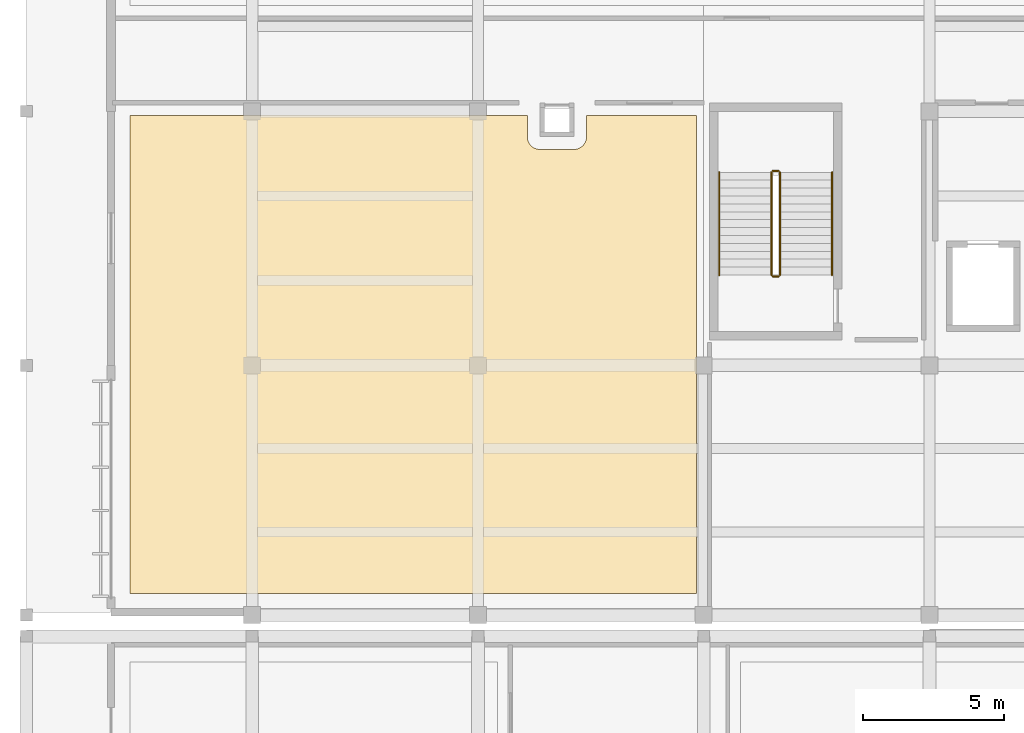
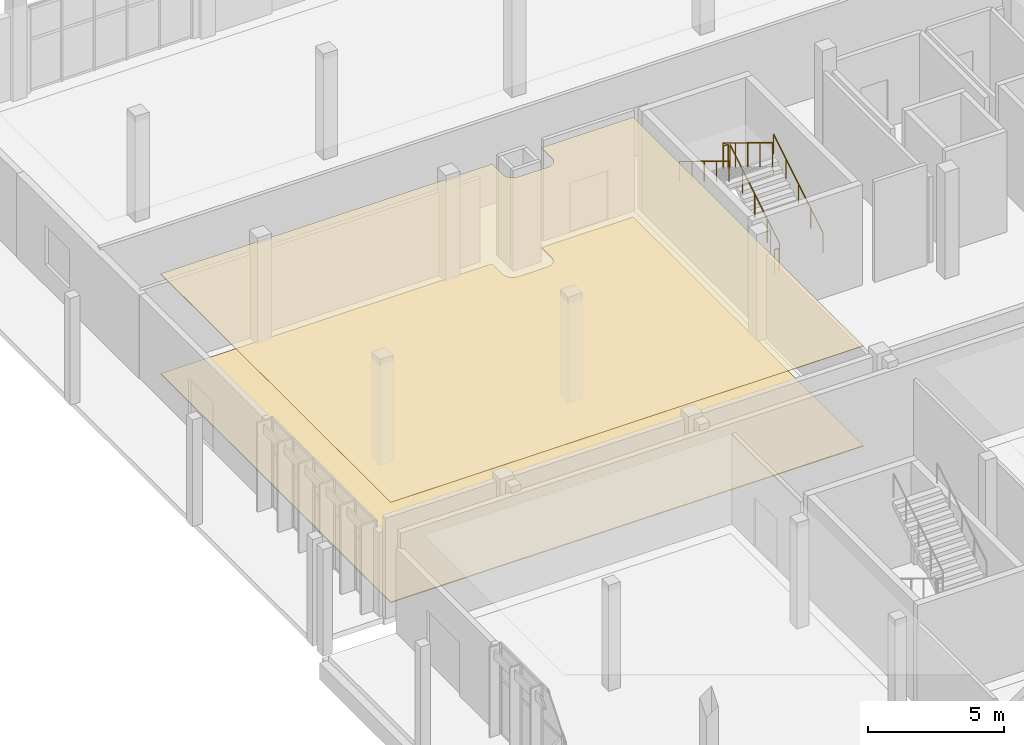
# One storey, part 141 of 151: 6 railings, 2 coverings.
"""IFC4 building model written with IfcOpenShell, lengths in metres."""

from ifc_helpers import new_model, si_unit, direction, frame, origin, origin_2d, place, context, subcontext, project, spatial, polyline, circle, outline, extrude, material, layer, layer_set, type_object, element, save


model = new_model("IFC4")

# Units and contexts
model_context = context("Model", 3, precision=1e-05, world=origin(), true_north=direction((0.0, 1.0)))
body_context = subcontext(model_context, "Body", "Model", "MODEL_VIEW")
ifc_project = project(units=[si_unit("LENGTHUNIT", "METRE"), si_unit("AREAUNIT", "SQUARE_METRE"), si_unit("VOLUMEUNIT", "CUBIC_METRE"), si_unit("PLANEANGLEUNIT", "RADIAN"), si_unit("MASSUNIT", "GRAM", prefix="KILO")], contexts=[model_context])

# Site, building, storey
site_placement = place(None, origin())
site = spatial("IfcSite", under=ifc_project, at=site_placement, CompositionType="ELEMENT")
building_placement = place(site_placement, origin())
building = spatial("IfcBuilding", under=site, at=building_placement, Name="Chiffa Square Polytechnic", CompositionType="ELEMENT")
storey_placement = place(building_placement, origin())
storey = spatial("IfcBuildingStorey", under=building, at=storey_placement, Name="L00", CompositionType="ELEMENT", Elevation=0.0)

# Coverings
ifc_material_1 = material(Name="Perforated gypsum acoustic board")
ifc_layer_1 = layer(ifc_material_1, 0.02490234375, Name="Perforated gypsum acoustic board")
ifc_layer_set_1 = layer_set([ifc_layer_1], Name="Perforated gypsum acoustic board")
covering_type_1 = type_object("IfcCoveringType", Name="COV-CEIL-GYP", PredefinedType="CEILING", material=ifc_layer_set_1)
covering_1_placement = place(storey_placement, frame((0.0, 0.0, 4.4970703125)))
element("IfcCovering", 1, at=covering_1_placement, inside=storey, type_object=covering_type_1, Name="Suspended acoustic ceiling CL-V5-L00-013", PredefinedType="CEILING", context=body_context, shape_type="SweptSolid", body=[
    extrude(outline(polyline([(17.75, 112.64990234375), (17.75, 111.89990234375), (17.751953125, 111.85595703125), (17.759033203125, 111.81201171875), (17.76904296875, 111.76904296875), (17.783935546875, 111.72802734375), (17.802978515625, 111.68798828125), (17.825927734375, 111.64990234375), (17.85205078125, 111.614990234375), (17.882080078125, 111.58203125), (17.9150390625, 111.552001953125), (17.949951171875, 111.52587890625), (17.988037109375, 111.5029296875), (18.028076171875, 111.48388671875), (18.069091796875, 111.468994140625), (18.112060546875, 111.458984375), (18.156005859375, 111.451904296875), (18.199951171875, 111.449951171875), (19.39990234375, 111.449951171875), (19.444091796875, 111.451904296875), (19.488037109375, 111.458984375), (19.531005859375, 111.468994140625), (19.572021484375, 111.48388671875), (19.612060546875, 111.5029296875), (19.64990234375, 111.52587890625), (19.68505859375, 111.552001953125), (19.718017578125, 111.58203125), (19.748046875, 111.614990234375), (19.77392578125, 111.64990234375), (19.797119140625, 111.68798828125), (19.81591796875, 111.72802734375), (19.8310546875, 111.76904296875), (19.841064453125, 111.81201171875), (19.847900390625, 111.85595703125), (19.85009765625, 111.89990234375), (19.85009765625, 112.64990234375), (23.75, 112.64990234375), (23.75, 95.719970703125), (3.669921875, 95.719970703125), (3.669921875, 112.64990234375), (17.75, 112.64990234375)])), origin(), (0.0, 0.0, 1.0), 0.02490234375),
])
ifc_material_2 = material(Name="Polished cementitious terrazzo")
ifc_layer_2 = layer(ifc_material_2, 0.0400390625, Name="Polished cementitious terrazzo")
ifc_layer_set_2 = layer_set([ifc_layer_2], Name="Polished cementitious terrazzo")
covering_type_2 = type_object("IfcCoveringType", Name="COV-FLR-TERRAZZO", PredefinedType="FLOORING", material=ifc_layer_set_2)
covering_2_placement = place(storey_placement, origin())
element("IfcCovering", 2, at=covering_2_placement, inside=storey, type_object=covering_type_2, Name="Polished terrazzo floor finish FL-V5-L00-012", PredefinedType="FLOORING", context=body_context, shape_type="SweptSolid", body=[
    extrude(outline(polyline([(17.75, 112.64990234375), (17.75, 111.89990234375), (17.751953125, 111.85595703125), (17.759033203125, 111.81201171875), (17.76904296875, 111.76904296875), (17.783935546875, 111.72802734375), (17.802978515625, 111.68798828125), (17.825927734375, 111.64990234375), (17.85205078125, 111.614990234375), (17.882080078125, 111.58203125), (17.9150390625, 111.552001953125), (17.949951171875, 111.52587890625), (17.988037109375, 111.5029296875), (18.028076171875, 111.48388671875), (18.069091796875, 111.468994140625), (18.112060546875, 111.458984375), (18.156005859375, 111.451904296875), (18.199951171875, 111.449951171875), (19.39990234375, 111.449951171875), (19.444091796875, 111.451904296875), (19.488037109375, 111.458984375), (19.531005859375, 111.468994140625), (19.572021484375, 111.48388671875), (19.612060546875, 111.5029296875), (19.64990234375, 111.52587890625), (19.68505859375, 111.552001953125), (19.718017578125, 111.58203125), (19.748046875, 111.614990234375), (19.77392578125, 111.64990234375), (19.797119140625, 111.68798828125), (19.81591796875, 111.72802734375), (19.8310546875, 111.76904296875), (19.841064453125, 111.81201171875), (19.847900390625, 111.85595703125), (19.85009765625, 111.89990234375), (19.85009765625, 112.64990234375), (23.75, 112.64990234375), (23.75, 95.719970703125), (3.669921875, 95.719970703125), (3.669921875, 112.64990234375), (17.75, 112.64990234375)])), origin(), (0.0, 0.0, 1.0), 0.0400390625),
])

# Railings
ifc_material_3 = material(Name="Steel S355", Category="steel")
ifc_layer_3 = layer(ifc_material_3, 0.050048828125, Name="Steel S355")
ifc_layer_set_3 = layer_set([ifc_layer_3], Name="Steel S355")
railing_type_1 = type_object("IfcRailingType", Name="RL-STAIR-GUARD", PredefinedType="GUARDRAIL", material=ifc_layer_set_3)
railing_1_placement = place(storey_placement, frame((26.699951171875, 107.0, 0.17138671875)))
element("IfcRailing", 3, at=railing_1_placement, inside=storey, type_object=railing_type_1, Name="L00 ST-V5A stair guard 1", PredefinedType="GUARDRAIL", context=body_context, shape_type="SweptSolid", body=[
    extrude(circle(Radius=0.02392578125, at=origin_2d()), frame((0.0, 0.0, 1.076171875), z_axis=(0.0, 0.852850264322, 0.5221555579), x_axis=(-1.0, 0.0, 0.0)), (0.0, 0.0, 1.0), 4.267822265625),
    extrude(circle(Radius=0.02099609375, at=origin_2d()), origin(), (0.0, 0.0, 1.0), 1.052001953125),
    extrude(circle(Radius=0.02099609375, at=origin_2d()), frame((0.0, 0.909912109375, 0.55712890625)), (0.0, 0.0, 1.0), 1.052001953125),
    extrude(circle(Radius=0.02099609375, at=origin_2d()), frame((0.0, 1.81982421875, 1.1142578125)), (0.0, 0.0, 1.0), 1.052001953125),
    extrude(circle(Radius=0.02099609375, at=origin_2d()), frame((0.0, 2.72998046875, 1.67138671875)), (0.0, 0.0, 1.0), 1.052001953125),
    extrude(circle(Radius=0.02099609375, at=origin_2d()), frame((0.0, 3.639892578125, 2.228515625)), (0.0, 0.0, 1.0), 1.052001953125),
])
railing_2_placement = place(storey_placement, frame((26.64990234375, 110.68994140625, 2.39990234375)))
element("IfcRailing", 4, at=railing_2_placement, inside=storey, type_object=railing_type_1, Name="L00 ST-V5A stair guard 2", PredefinedType="GUARDRAIL", context=body_context, shape_type="SweptSolid", body=[
    extrude(circle(Radius=0.02392578125, at=origin_2d()), frame((0.0, 0.0, 1.076171875), z_axis=(-1.0, 0.0, 0.0), x_axis=(0.0, -1.0, 0.0)), (0.0, 0.0, 1.0), 0.199951171875),
    extrude(circle(Radius=0.02099609375, at=origin_2d()), origin(), (0.0, 0.0, 1.0), 1.052001953125),
    extrude(circle(Radius=0.02099609375, at=origin_2d()), frame((-0.199951171875, 0.0, 0.0)), (0.0, 0.0, 1.0), 1.052001953125),
])
railing_3_placement = place(storey_placement, frame((26.39990234375, 110.639892578125, 2.571533203125)))
element("IfcRailing", 5, at=railing_3_placement, inside=storey, type_object=railing_type_1, Name="L00 ST-V5A stair guard 3", PredefinedType="GUARDRAIL", context=body_context, shape_type="SweptSolid", body=[
    extrude(circle(Radius=0.02392578125, at=origin_2d()), frame((0.0, 0.0, 1.076171875), z_axis=(0.0, -0.852850264322, 0.5221555579), x_axis=(1.0, 0.0, 0.0)), (0.0, 0.0, 1.0), 4.267822265625),
    extrude(circle(Radius=0.02099609375, at=origin_2d()), origin(), (0.0, 0.0, 1.0), 1.052001953125),
    extrude(circle(Radius=0.02099609375, at=origin_2d()), frame((0.0, -0.909912109375, 0.55712890625)), (0.0, 0.0, 1.0), 1.052001953125),
    extrude(circle(Radius=0.02099609375, at=origin_2d()), frame((0.0, -1.81982421875, 1.1142578125)), (0.0, 0.0, 1.0), 1.052001953125),
    extrude(circle(Radius=0.02099609375, at=origin_2d()), frame((0.0, -2.72998046875, 1.67138671875)), (0.0, 0.0, 1.0), 1.052001953125),
    extrude(circle(Radius=0.02099609375, at=origin_2d()), frame((0.0, -3.639892578125, 2.228515625)), (0.0, 0.0, 1.0), 1.052001953125),
])
railing_4_placement = place(storey_placement, frame((26.64990234375, 106.949951171875, 0.0)))
element("IfcRailing", 6, at=railing_4_placement, inside=storey, type_object=railing_type_1, Name="L00 ST-V5A stair guard 4", PredefinedType="GUARDRAIL", context=body_context, shape_type="SweptSolid", body=[
    extrude(circle(Radius=0.02392578125, at=origin_2d()), frame((0.0, 0.0, 1.076171875), z_axis=(-1.0, 0.0, 0.0), x_axis=(0.0, -1.0, 0.0)), (0.0, 0.0, 1.0), 0.199951171875),
    extrude(circle(Radius=0.02099609375, at=origin_2d()), origin(), (0.0, 0.0, 1.0), 1.052001953125),
    extrude(circle(Radius=0.02099609375, at=origin_2d()), frame((-0.199951171875, 0.0, 0.0)), (0.0, 0.0, 1.0), 1.052001953125),
])
ifc_layer_4 = layer(ifc_material_3, 0.044921875, Name="Steel S355")
ifc_layer_set_4 = layer_set([ifc_layer_4], Name="Steel S355")
railing_type_2 = type_object("IfcRailingType", Name="RL-STAIR-HAND", PredefinedType="HANDRAIL", material=ifc_layer_set_4)
railing_5_placement = place(storey_placement, frame((28.550048828125, 107.0, 0.17138671875)))
element("IfcRailing", 7, at=railing_5_placement, inside=storey, type_object=railing_type_2, Name="L00 ST-V5A stair handrail 1", PredefinedType="HANDRAIL", context=body_context, shape_type="SweptSolid", body=[
    extrude(circle(Radius=0.02392578125, at=origin_2d()), frame((0.0, 0.0, 0.89599609375), z_axis=(0.0, 0.852850264322, 0.5221555579), x_axis=(-1.0, 0.0, 0.0)), (0.0, 0.0, 1.0), 4.267822265625),
    extrude(circle(Radius=0.02099609375, at=origin_2d()), origin(), (0.0, 0.0, 1.0), 0.871826171875),
    extrude(circle(Radius=0.02099609375, at=origin_2d()), frame((0.0, 0.909912109375, 0.55712890625)), (0.0, 0.0, 1.0), 0.871826171875),
    extrude(circle(Radius=0.02099609375, at=origin_2d()), frame((0.0, 1.81982421875, 1.1142578125)), (0.0, 0.0, 1.0), 0.871826171875),
    extrude(circle(Radius=0.02099609375, at=origin_2d()), frame((0.0, 2.72998046875, 1.67138671875)), (0.0, 0.0, 1.0), 0.871826171875),
    extrude(circle(Radius=0.02099609375, at=origin_2d()), frame((0.0, 3.639892578125, 2.228515625)), (0.0, 0.0, 1.0), 0.871826171875),
])
railing_6_placement = place(storey_placement, frame((24.550048828125, 110.639892578125, 2.571533203125)))
element("IfcRailing", 8, at=railing_6_placement, inside=storey, type_object=railing_type_2, Name="L00 ST-V5A stair handrail 2", PredefinedType="HANDRAIL", context=body_context, shape_type="SweptSolid", body=[
    extrude(circle(Radius=0.02392578125, at=origin_2d()), frame((0.0, 0.0, 0.89599609375), z_axis=(0.0, -0.852850264322, 0.5221555579), x_axis=(1.0, 0.0, 0.0)), (0.0, 0.0, 1.0), 4.267822265625),
    extrude(circle(Radius=0.02099609375, at=origin_2d()), origin(), (0.0, 0.0, 1.0), 0.871826171875),
    extrude(circle(Radius=0.02099609375, at=origin_2d()), frame((0.0, -0.909912109375, 0.55712890625)), (0.0, 0.0, 1.0), 0.871826171875),
    extrude(circle(Radius=0.02099609375, at=origin_2d()), frame((0.0, -1.81982421875, 1.1142578125)), (0.0, 0.0, 1.0), 0.871826171875),
    extrude(circle(Radius=0.02099609375, at=origin_2d()), frame((0.0, -2.72998046875, 1.67138671875)), (0.0, 0.0, 1.0), 0.871826171875),
    extrude(circle(Radius=0.02099609375, at=origin_2d()), frame((0.0, -3.639892578125, 2.228515625)), (0.0, 0.0, 1.0), 0.871826171875),
])

save(model, "model.ifc")
